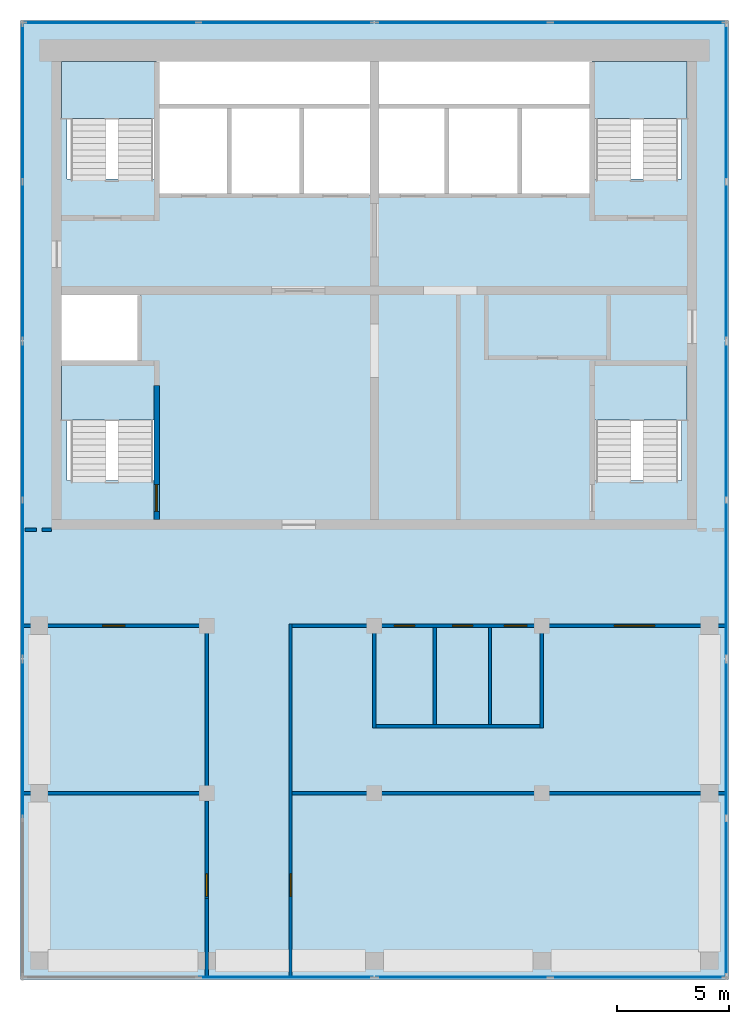
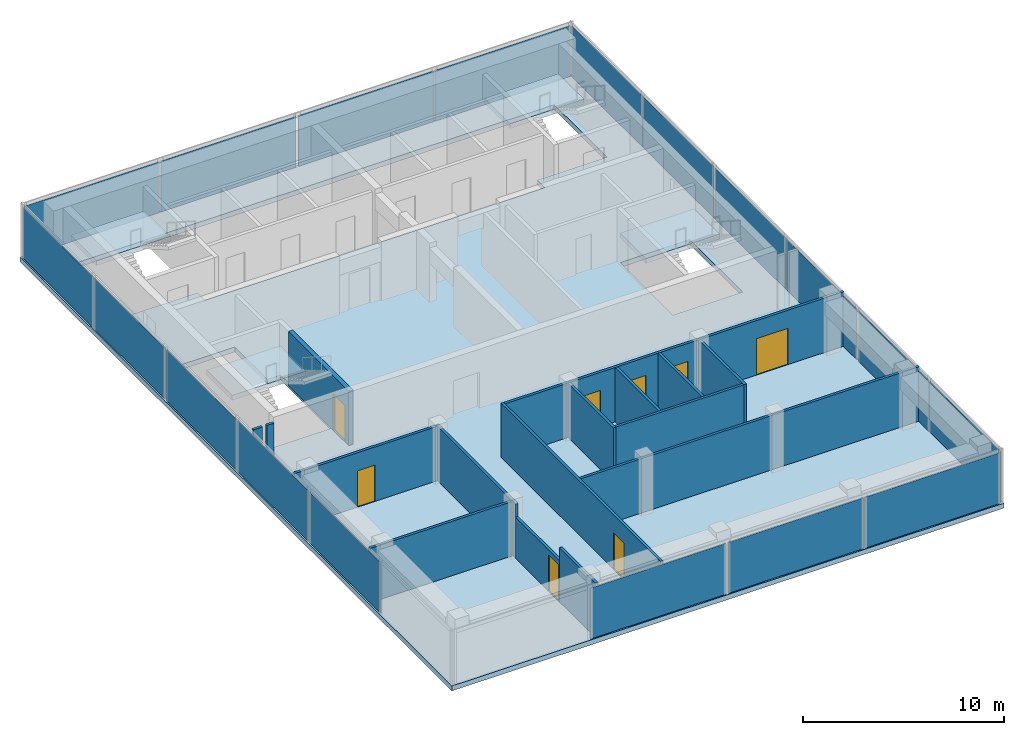
# One storey, part 2 of 5: 18 plates, 16 walls, 8 doors, 5 slabs, 8 openings, 14 elements without a shape of their own.
"""IFC4 building model written with IfcOpenShell, lengths in metres."""

from ifc_helpers import new_model, si_unit, direction, frame, frame_2d, origin, origin_2d, place, context, subcontext, project, spatial, polyline, rectangle, outline, extrude, material, layer, layer_set, type_object, element, fill, aggregate, save


model = new_model("IFC4")

# Units and contexts
model_context = context("Model", 3, precision=1e-05, world=origin(), true_north=direction((0.0, 1.0)))
body_context = subcontext(model_context, "Body", "Model", "MODEL_VIEW")
ifc_project = project(units=[si_unit("LENGTHUNIT", "METRE"), si_unit("AREAUNIT", "SQUARE_METRE"), si_unit("VOLUMEUNIT", "CUBIC_METRE"), si_unit("PLANEANGLEUNIT", "RADIAN"), si_unit("MASSUNIT", "GRAM", prefix="KILO")], contexts=[model_context])

# Site, building, storey
site_placement = place(None, origin())
site = spatial("IfcSite", under=ifc_project, at=site_placement, CompositionType="ELEMENT")
building_placement = place(site_placement, origin())
building = spatial("IfcBuilding", under=site, at=building_placement, Name="Pilkhan Gate Tower", CompositionType="ELEMENT")
storey_placement = place(building_placement, frame((0.0, 0.0, 280.10009765625)))
storey = spatial("IfcBuildingStorey", under=building, at=storey_placement, Name="L73", CompositionType="ELEMENT", Elevation=280.10009765625)

# Slab
ifc_material_1 = material(Name="Concrete C40/50", Category="concrete")
ifc_layer_1 = layer(ifc_material_1, 0.300048828125)
ifc_layer_set_1 = layer_set([ifc_layer_1], Name="Flat plate slab FP300")
slab_type_1 = type_object("IfcSlabType", Name="Flat plate slab FP300", PredefinedType="FLOOR", material=ifc_layer_set_1)
slab_1_placement = place(storey_placement, frame((0.0, 0.0, -0.300048828125)))
element("IfcSlab", 1, at=slab_1_placement, inside=storey, type_object=slab_type_1, Name="Floor slab L73", PredefinedType="FLOOR", context=body_context, shape_type="SweptSolid", body=[
    extrude(outline(polyline([(59.14990234375, 94.60009765625), (90.85009765625, 94.60009765625), (90.85009765625, 51.64990234375), (59.14990234375, 51.64990234375), (59.14990234375, 94.60009765625)]), holes=[polyline([(78.25, 86.75), (81.5, 86.75), (84.75, 86.75), (84.75, 87.5), (88.75, 87.5), (88.75, 92.75), (84.75, 92.75), (75.0, 92.75), (65.25, 92.75), (61.25, 92.75), (61.25, 87.5), (65.25, 87.5), (65.25, 86.75), (68.5, 86.75), (71.75, 86.75), (75.0, 86.75), (78.25, 86.75)]), polyline([(84.75, 79.25), (84.75, 74.0), (88.75, 74.0), (88.75, 79.25), (84.75, 79.25)]), polyline([(65.25, 79.25), (64.5, 79.25), (64.5, 82.5), (61.25, 82.5), (61.0, 82.5), (61.0, 79.25), (61.25, 79.25), (61.25, 74.0), (65.25, 74.0), (65.25, 79.25)])]), origin(), (0.0, 0.0, 1.0), 0.300048828125),
])

# Curtain wall, plates
ifc_material_2 = material(Name="Pale anodised aluminium, clear low-iron double glazing", Category="aluminium")
curtain_wall_type = type_object("IfcCurtainWallType", Name="Crown unitised curtain wall CW-C", PredefinedType="USERDEFINED", material=ifc_material_2)
curtain_wall_1_placement = place(storey_placement, origin())
curtain_wall_1 = element("IfcCurtainWall", 2, at=curtain_wall_1_placement, inside=storey, type_object=curtain_wall_type, Name="Crown unitised curtain wall CW-C L73 E", ObjectType="UNITISED CURTAIN WALL", PredefinedType="USERDEFINED")
ifc_material_3 = material(Name="Clear low-iron double glazing", Category="glass")
ifc_layer_2 = layer(ifc_material_3, 0.0439453125)
ifc_layer_set_2 = layer_set([ifc_layer_2], Name="Glass panel CW-C 44")
plate_type = type_object("IfcPlateType", Name="Glass panel CW-C 44", PredefinedType="CURTAIN_PANEL", material=ifc_layer_set_2)
plate_1_placement = place(storey_placement, frame((90.75, 55.331298828125, -0.000244140625), z_axis=(0.0, 0.0, 1.0), x_axis=(0.0, 1.0, 0.0)))
plate_1 = element("IfcPlate", 3, at=plate_1_placement, type_object=plate_type, Name="CW-C panel 1", PredefinedType="CURTAIN_PANEL", context=body_context, shape_type="SweptSolid", body=[
    extrude(rectangle(XDim=7.012451171875, YDim=0.0439453125, at=origin_2d()), origin(), (0.0, 0.0, 1.0), 3.080078125),
])
plate_2_placement = place(storey_placement, frame((90.75, 62.418701171875, -0.000244140625), z_axis=(0.0, 0.0, 1.0), x_axis=(0.0, 1.0, 0.0)))
plate_2 = element("IfcPlate", 4, at=plate_2_placement, type_object=plate_type, Name="CW-C panel 2", PredefinedType="CURTAIN_PANEL", context=body_context, shape_type="SweptSolid", body=[
    extrude(rectangle(XDim=7.012451171875, YDim=0.0439453125, at=origin_2d()), origin(), (0.0, 0.0, 1.0), 3.080078125),
])
aggregate(curtain_wall_1, [plate_1, plate_2])

curtain_wall_2_placement = place(storey_placement, origin())
curtain_wall_2 = element("IfcCurtainWall", 5, at=curtain_wall_2_placement, inside=storey, type_object=curtain_wall_type, Name="Crown unitised curtain wall CW-C L73 E", ObjectType="UNITISED CURTAIN WALL", PredefinedType="USERDEFINED")
plate_3_placement = place(storey_placement, frame((90.75, 69.581298828125, -0.000244140625), z_axis=(0.0, 0.0, 1.0), x_axis=(0.0, 1.0, 0.0)))
plate_3 = element("IfcPlate", 6, at=plate_3_placement, type_object=plate_type, Name="CW-C panel 1", PredefinedType="CURTAIN_PANEL", context=body_context, shape_type="SweptSolid", body=[
    extrude(rectangle(XDim=7.012451171875, YDim=0.0439453125, at=origin_2d()), origin(), (0.0, 0.0, 1.0), 3.080078125),
])
plate_4_placement = place(storey_placement, frame((90.75, 76.668701171875, -0.000244140625), z_axis=(0.0, 0.0, 1.0), x_axis=(0.0, 1.0, 0.0)))
plate_4 = element("IfcPlate", 7, at=plate_4_placement, type_object=plate_type, Name="CW-C panel 2", PredefinedType="CURTAIN_PANEL", context=body_context, shape_type="SweptSolid", body=[
    extrude(rectangle(XDim=7.012451171875, YDim=0.0439453125, at=origin_2d()), origin(), (0.0, 0.0, 1.0), 3.080078125),
])
aggregate(curtain_wall_2, [plate_3, plate_4])

curtain_wall_3_placement = place(storey_placement, origin())
curtain_wall_3 = element("IfcCurtainWall", 8, at=curtain_wall_3_placement, inside=storey, type_object=curtain_wall_type, Name="Crown unitised curtain wall CW-C L73 E", ObjectType="UNITISED CURTAIN WALL", PredefinedType="USERDEFINED")
plate_5_placement = place(storey_placement, frame((90.75, 83.831298828125, -0.000244140625), z_axis=(0.0, 0.0, 1.0), x_axis=(0.0, 1.0, 0.0)))
plate_5 = element("IfcPlate", 9, at=plate_5_placement, type_object=plate_type, Name="CW-C panel 1", PredefinedType="CURTAIN_PANEL", context=body_context, shape_type="SweptSolid", body=[
    extrude(rectangle(XDim=7.012451171875, YDim=0.0439453125, at=origin_2d()), origin(), (0.0, 0.0, 1.0), 3.080078125),
])
plate_6_placement = place(storey_placement, frame((90.75, 90.918701171875, -0.000244140625), z_axis=(0.0, 0.0, 1.0), x_axis=(0.0, 1.0, 0.0)))
plate_6 = element("IfcPlate", 10, at=plate_6_placement, type_object=plate_type, Name="CW-C panel 2", PredefinedType="CURTAIN_PANEL", context=body_context, shape_type="SweptSolid", body=[
    extrude(rectangle(XDim=7.012451171875, YDim=0.0439453125, at=origin_2d()), origin(), (0.0, 0.0, 1.0), 3.080078125),
])
aggregate(curtain_wall_3, [plate_5, plate_6])

curtain_wall_4_placement = place(storey_placement, origin())
curtain_wall_4 = element("IfcCurtainWall", 11, at=curtain_wall_4_placement, inside=storey, type_object=curtain_wall_type, Name="Crown unitised curtain wall CW-C L73 N", ObjectType="UNITISED CURTAIN WALL", PredefinedType="USERDEFINED")
plate_7_placement = place(storey_placement, frame((63.206298828125, 94.5, -0.000244140625), z_axis=(0.0, 0.0, 1.0), x_axis=(1.0, 0.0, 0.0)))
plate_7 = element("IfcPlate", 12, at=plate_7_placement, type_object=plate_type, Name="CW-C panel 1", PredefinedType="CURTAIN_PANEL", context=body_context, shape_type="SweptSolid", body=[
    extrude(rectangle(XDim=7.762451171875, YDim=0.0439453125, at=origin_2d()), origin(), (0.0, 0.0, 1.0), 3.080078125),
])
plate_8_placement = place(storey_placement, frame((71.043701171875, 94.5, -0.000244140625), z_axis=(0.0, 0.0, 1.0), x_axis=(1.0, 0.0, 0.0)))
plate_8 = element("IfcPlate", 13, at=plate_8_placement, type_object=plate_type, Name="CW-C panel 2", PredefinedType="CURTAIN_PANEL", context=body_context, shape_type="SweptSolid", body=[
    extrude(rectangle(XDim=7.762451171875, YDim=0.0439453125, at=origin_2d()), origin(), (0.0, 0.0, 1.0), 3.080078125),
])
aggregate(curtain_wall_4, [plate_7, plate_8])

curtain_wall_5_placement = place(storey_placement, origin())
curtain_wall_5 = element("IfcCurtainWall", 14, at=curtain_wall_5_placement, inside=storey, type_object=curtain_wall_type, Name="Crown unitised curtain wall CW-C L73 N", ObjectType="UNITISED CURTAIN WALL", PredefinedType="USERDEFINED")
plate_9_placement = place(storey_placement, frame((78.956298828125, 94.5, -0.000244140625), z_axis=(0.0, 0.0, 1.0), x_axis=(1.0, 0.0, 0.0)))
plate_9 = element("IfcPlate", 15, at=plate_9_placement, type_object=plate_type, Name="CW-C panel 1", PredefinedType="CURTAIN_PANEL", context=body_context, shape_type="SweptSolid", body=[
    extrude(rectangle(XDim=7.762451171875, YDim=0.0439453125, at=origin_2d()), origin(), (0.0, 0.0, 1.0), 3.080078125),
])
plate_10_placement = place(storey_placement, frame((86.793701171875, 94.5, -0.000244140625), z_axis=(0.0, 0.0, 1.0), x_axis=(1.0, 0.0, 0.0)))
plate_10 = element("IfcPlate", 16, at=plate_10_placement, type_object=plate_type, Name="CW-C panel 2", PredefinedType="CURTAIN_PANEL", context=body_context, shape_type="SweptSolid", body=[
    extrude(rectangle(XDim=7.762451171875, YDim=0.0439453125, at=origin_2d()), origin(), (0.0, 0.0, 1.0), 3.080078125),
])
aggregate(curtain_wall_5, [plate_9, plate_10])

# Curtain wall, plate
curtain_wall_6_placement = place(storey_placement, origin())
curtain_wall_6 = element("IfcCurtainWall", 17, at=curtain_wall_6_placement, inside=storey, type_object=curtain_wall_type, Name="Crown unitised curtain wall CW-C L73 W", ObjectType="UNITISED CURTAIN WALL", PredefinedType="USERDEFINED")
plate_11_placement = place(storey_placement, frame((59.25, 62.418701171875, -0.000244140625), z_axis=(0.0, 0.0, 1.0), x_axis=(0.0, 1.0, 0.0)))
plate_11 = element("IfcPlate", 18, at=plate_11_placement, type_object=plate_type, Name="CW-C panel 2", PredefinedType="CURTAIN_PANEL", context=body_context, shape_type="SweptSolid", body=[
    extrude(rectangle(XDim=7.012451171875, YDim=0.0439453125, at=origin_2d()), origin(), (0.0, 0.0, 1.0), 3.080078125),
])
aggregate(curtain_wall_6, [plate_11])

# Curtain wall, plates
curtain_wall_7_placement = place(storey_placement, origin())
curtain_wall_7 = element("IfcCurtainWall", 19, at=curtain_wall_7_placement, inside=storey, type_object=curtain_wall_type, Name="Crown unitised curtain wall CW-C L73 W", ObjectType="UNITISED CURTAIN WALL", PredefinedType="USERDEFINED")
plate_12_placement = place(storey_placement, frame((59.25, 69.581298828125, -0.000244140625), z_axis=(0.0, 0.0, 1.0), x_axis=(0.0, 1.0, 0.0)))
plate_12 = element("IfcPlate", 20, at=plate_12_placement, type_object=plate_type, Name="CW-C panel 1", PredefinedType="CURTAIN_PANEL", context=body_context, shape_type="SweptSolid", body=[
    extrude(rectangle(XDim=7.012451171875, YDim=0.0439453125, at=origin_2d()), origin(), (0.0, 0.0, 1.0), 3.080078125),
])
plate_13_placement = place(storey_placement, frame((59.25, 76.668701171875, -0.000244140625), z_axis=(0.0, 0.0, 1.0), x_axis=(0.0, 1.0, 0.0)))
plate_13 = element("IfcPlate", 21, at=plate_13_placement, type_object=plate_type, Name="CW-C panel 2", PredefinedType="CURTAIN_PANEL", context=body_context, shape_type="SweptSolid", body=[
    extrude(rectangle(XDim=7.012451171875, YDim=0.0439453125, at=origin_2d()), origin(), (0.0, 0.0, 1.0), 3.080078125),
])
aggregate(curtain_wall_7, [plate_12, plate_13])

curtain_wall_8_placement = place(storey_placement, origin())
curtain_wall_8 = element("IfcCurtainWall", 22, at=curtain_wall_8_placement, inside=storey, type_object=curtain_wall_type, Name="Crown unitised curtain wall CW-C L73 W", ObjectType="UNITISED CURTAIN WALL", PredefinedType="USERDEFINED")
plate_14_placement = place(storey_placement, frame((59.25, 83.831298828125, -0.000244140625), z_axis=(0.0, 0.0, 1.0), x_axis=(0.0, 1.0, 0.0)))
plate_14 = element("IfcPlate", 23, at=plate_14_placement, type_object=plate_type, Name="CW-C panel 1", PredefinedType="CURTAIN_PANEL", context=body_context, shape_type="SweptSolid", body=[
    extrude(rectangle(XDim=7.012451171875, YDim=0.0439453125, at=origin_2d()), origin(), (0.0, 0.0, 1.0), 3.080078125),
])
plate_15_placement = place(storey_placement, frame((59.25, 90.918701171875, -0.000244140625), z_axis=(0.0, 0.0, 1.0), x_axis=(0.0, 1.0, 0.0)))
plate_15 = element("IfcPlate", 24, at=plate_15_placement, type_object=plate_type, Name="CW-C panel 2", PredefinedType="CURTAIN_PANEL", context=body_context, shape_type="SweptSolid", body=[
    extrude(rectangle(XDim=7.012451171875, YDim=0.0439453125, at=origin_2d()), origin(), (0.0, 0.0, 1.0), 3.080078125),
])
aggregate(curtain_wall_8, [plate_14, plate_15])

# Curtain wall, plate
curtain_wall_9_placement = place(storey_placement, origin())
curtain_wall_9 = element("IfcCurtainWall", 25, at=curtain_wall_9_placement, inside=storey, type_object=curtain_wall_type, Name="Crown unitised curtain wall CW-C L73 S", ObjectType="UNITISED CURTAIN WALL", PredefinedType="USERDEFINED")
plate_16_placement = place(storey_placement, frame((71.043701171875, 51.75, -0.000244140625), z_axis=(0.0, 0.0, 1.0), x_axis=(1.0, 0.0, 0.0)))
plate_16 = element("IfcPlate", 26, at=plate_16_placement, type_object=plate_type, Name="CW-C panel 2", PredefinedType="CURTAIN_PANEL", context=body_context, shape_type="SweptSolid", body=[
    extrude(rectangle(XDim=7.762451171875, YDim=0.0439453125, at=origin_2d()), origin(), (0.0, 0.0, 1.0), 3.080078125),
])
aggregate(curtain_wall_9, [plate_16])

# Curtain wall, plates
curtain_wall_10_placement = place(storey_placement, origin())
curtain_wall_10 = element("IfcCurtainWall", 27, at=curtain_wall_10_placement, inside=storey, type_object=curtain_wall_type, Name="Crown unitised curtain wall CW-C L73 S", ObjectType="UNITISED CURTAIN WALL", PredefinedType="USERDEFINED")
plate_17_placement = place(storey_placement, frame((78.956298828125, 51.75, -0.000244140625), z_axis=(0.0, 0.0, 1.0), x_axis=(1.0, 0.0, 0.0)))
plate_17 = element("IfcPlate", 28, at=plate_17_placement, type_object=plate_type, Name="CW-C panel 1", PredefinedType="CURTAIN_PANEL", context=body_context, shape_type="SweptSolid", body=[
    extrude(rectangle(XDim=7.762451171875, YDim=0.0439453125, at=origin_2d()), origin(), (0.0, 0.0, 1.0), 3.080078125),
])
plate_18_placement = place(storey_placement, frame((86.793701171875, 51.75, -0.000244140625), z_axis=(0.0, 0.0, 1.0), x_axis=(1.0, 0.0, 0.0)))
plate_18 = element("IfcPlate", 29, at=plate_18_placement, type_object=plate_type, Name="CW-C panel 2", PredefinedType="CURTAIN_PANEL", context=body_context, shape_type="SweptSolid", body=[
    extrude(rectangle(XDim=7.762451171875, YDim=0.0439453125, at=origin_2d()), origin(), (0.0, 0.0, 1.0), 3.080078125),
])
aggregate(curtain_wall_10, [plate_17, plate_18])

# Stair, slab
ifc_material_4 = material(Name="Concrete C40/50 precast", Category="concrete")
stair_type_1 = type_object("IfcStairType", Name="Stair ST1 164x280", PredefinedType="HALF_TURN_STAIR", material=ifc_material_4)
stair_1_placement = place(storey_placement, origin())
stair_1 = element("IfcStair", 30, at=stair_1_placement, inside=storey, type_object=stair_type_1, Name="Stair ST1 L73", PredefinedType="HALF_TURN_STAIR")
ifc_layer_3 = layer(ifc_material_1, 0.199951171875)
ifc_layer_set_3 = layer_set([ifc_layer_3], Name="Stair landing SL200")
slab_type_2 = type_object("IfcSlabType", Name="Stair landing SL200", PredefinedType="LANDING", material=ifc_layer_set_3)
slab_2_placement = place(storey_placement, frame((0.0, 0.0, 1.5)))
slab_2 = element("IfcSlab", 31, at=slab_2_placement, type_object=slab_type_2, Name="ST1 landing 1", PredefinedType="LANDING", context=body_context, shape_type="SweptSolid", body=[
    extrude(outline(polyline([(89.0, 76.699951171875), (89.0, 79.25), (84.75, 79.25), (84.75, 76.699951171875), (89.0, 76.699951171875)])), origin(), (0.0, 0.0, 1.0), 0.2998046875),
])
aggregate(stair_1, [slab_2])

stair_type_2 = type_object("IfcStairType", Name="Stair ST2 164x280", PredefinedType="HALF_TURN_STAIR", material=ifc_material_4)
stair_2_placement = place(storey_placement, origin())
stair_2 = element("IfcStair", 32, at=stair_2_placement, inside=storey, type_object=stair_type_2, Name="Stair ST2 L73", PredefinedType="HALF_TURN_STAIR")
slab_3_placement = place(storey_placement, frame((0.0, 0.0, 1.5)))
slab_3 = element("IfcSlab", 33, at=slab_3_placement, type_object=slab_type_2, Name="ST2 landing 1", PredefinedType="LANDING", context=body_context, shape_type="SweptSolid", body=[
    extrude(outline(polyline([(65.25, 76.699951171875), (65.25, 79.25), (61.0, 79.25), (61.0, 76.699951171875), (65.25, 76.699951171875)])), origin(), (0.0, 0.0, 1.0), 0.2998046875),
])
aggregate(stair_2, [slab_3])

stair_type_3 = type_object("IfcStairType", Name="Stair ST3 164x280", PredefinedType="HALF_TURN_STAIR", material=ifc_material_4)
stair_3_placement = place(storey_placement, origin())
stair_3 = element("IfcStair", 34, at=stair_3_placement, inside=storey, type_object=stair_type_3, Name="Stair ST3 L73", PredefinedType="HALF_TURN_STAIR")
slab_4_placement = place(storey_placement, frame((0.0, 0.0, 1.5)))
slab_4 = element("IfcSlab", 35, at=slab_4_placement, type_object=slab_type_2, Name="ST3 landing 1", PredefinedType="LANDING", context=body_context, shape_type="SweptSolid", body=[
    extrude(outline(polyline([(65.25, 90.199951171875), (65.25, 92.75), (61.0, 92.75), (61.0, 90.199951171875), (65.25, 90.199951171875)])), origin(), (0.0, 0.0, 1.0), 0.2998046875),
])
aggregate(stair_3, [slab_4])

stair_type_4 = type_object("IfcStairType", Name="Stair ST4 164x280", PredefinedType="HALF_TURN_STAIR", material=ifc_material_4)
stair_4_placement = place(storey_placement, origin())
stair_4 = element("IfcStair", 36, at=stair_4_placement, inside=storey, type_object=stair_type_4, Name="Stair ST4 L73", PredefinedType="HALF_TURN_STAIR")
slab_5_placement = place(storey_placement, frame((0.0, 0.0, 1.5)))
slab_5 = element("IfcSlab", 37, at=slab_5_placement, type_object=slab_type_2, Name="ST4 landing 1", PredefinedType="LANDING", context=body_context, shape_type="SweptSolid", body=[
    extrude(outline(polyline([(89.0, 90.199951171875), (89.0, 92.75), (84.75, 92.75), (84.75, 90.199951171875), (89.0, 90.199951171875)])), origin(), (0.0, 0.0, 1.0), 0.2998046875),
])
aggregate(stair_4, [slab_5])

# Walls
ifc_material_5 = material(Name="Blockwork partition, plastered both sides", Category="masonry")
ifc_layer_4 = layer(ifc_material_5, 0.14990234375)
ifc_layer_set_4 = layer_set([ifc_layer_4], Name="Partition PW150")
wall_type_1 = type_object("IfcWallType", Name="Partition PW150", PredefinedType="PARTITIONING", material=ifc_layer_set_4)
wall_1_placement = place(storey_placement, frame((59.235107421875, 60.0, 0.0), z_axis=(0.0, 0.0, 1.0), x_axis=(1.0, 0.0, 0.0)))
element("IfcWall", 38, at=wall_1_placement, inside=storey, type_object=wall_type_1, Name="Partition L73", PredefinedType="PARTITIONING", context=body_context, shape_type="SweptSolid", body=[
    extrude(rectangle(XDim=8.18994140625, YDim=0.14990234375, at=frame_2d((4.094970703125, 0.0))), origin(), (0.0, 0.0, 1.0), 3.2998046875),
])
wall_2_placement = place(storey_placement, frame((71.324951171875, 60.0, 0.0), z_axis=(0.0, 0.0, 1.0), x_axis=(1.0, 0.0, 0.0)))
element("IfcWall", 39, at=wall_2_placement, inside=storey, type_object=wall_type_1, Name="Partition L73", PredefinedType="PARTITIONING", context=body_context, shape_type="SweptSolid", body=[
    extrude(rectangle(XDim=19.43994140625, YDim=0.14990234375, at=frame_2d((9.719970703125, 0.0))), origin(), (0.0, 0.0, 1.0), 3.2998046875),
])
wall_3_placement = place(storey_placement, frame((75.074951171875, 63.0, 0.0), z_axis=(0.0, 0.0, 1.0), x_axis=(1.0, 0.0, 0.0)))
element("IfcWall", 40, at=wall_3_placement, inside=storey, type_object=wall_type_1, Name="Partition L73", PredefinedType="PARTITIONING", context=body_context, shape_type="SweptSolid", body=[
    extrude(rectangle(XDim=7.35009765625, YDim=0.14990234375, at=frame_2d((3.675048828125, 0.0))), origin(), (0.0, 0.0, 1.0), 3.2998046875),
])

# Wall, opening, door
wall_4_placement = place(storey_placement, frame((59.235107421875, 67.5, 0.0), z_axis=(0.0, 0.0, 1.0), x_axis=(1.0, 0.0, 0.0)))
wall_4 = element("IfcWall", 41, at=wall_4_placement, inside=storey, type_object=wall_type_1, Name="Partition L73", PredefinedType="PARTITIONING", context=body_context, shape_type="SweptSolid", body=[
    extrude(rectangle(XDim=8.18994140625, YDim=0.14990234375, at=frame_2d((4.094970703125, 0.0))), origin(), (0.0, 0.0, 1.0), 3.2998046875),
])
opening_1_placement = place(wall_4_placement, frame((3.60009765625, 0.0, 0.0)))
opening_1 = element("IfcOpeningElement", 42, at=opening_1_placement, cuts=wall_4, Name="Opening L73-13", PredefinedType="OPENING", context=body_context, shape_type="SweptSolid", body=[
    extrude(rectangle(XDim=1.0, YDim=2.199951171875, at=frame_2d((0.5, 1.10009765625))), frame((0.0, 0.0849609375, 0.0), z_axis=(0.0, -1.0, 0.0), x_axis=(1.0, 0.0, 0.0)), (0.0, 0.0, 1.0), 0.169921875),
])
ifc_material_6 = material(Name="Timber flush door, 30 minute fire resisting", Category="wood")
door_type_1 = type_object("IfcDoorType", Name="Room door D03 1000x2200", OperationType="SINGLE_SWING_LEFT", PredefinedType="DOOR", material=ifc_material_6)
door_1_placement = place(opening_1_placement, origin())
door_1 = element("IfcDoor", 43, at=door_1_placement, inside=storey, type_object=door_type_1, Name="Room door", OperationType="SINGLE_SWING_LEFT", OverallHeight=2.199951171875, OverallWidth=1.0, PredefinedType="DOOR", context=body_context, shape_type="SweptSolid", body=[
    extrude(rectangle(XDim=1.0, YDim=2.199951171875, at=frame_2d((0.5, 1.10009765625))), frame((0.0, 0.02490234375, 0.0), z_axis=(0.0, -1.0, 0.0), x_axis=(1.0, 0.0, 0.0)), (0.0, 0.0, 1.0), 0.050048828125),
])
fill(opening_1, door_1)

# Wall, openings, doors
wall_5_placement = place(storey_placement, frame((71.324951171875, 67.5, 0.0), z_axis=(0.0, 0.0, 1.0), x_axis=(1.0, 0.0, 0.0)))
wall_5 = element("IfcWall", 44, at=wall_5_placement, inside=storey, type_object=wall_type_1, Name="Partition L73", PredefinedType="PARTITIONING", context=body_context, shape_type="SweptSolid", body=[
    extrude(rectangle(XDim=19.43994140625, YDim=0.14990234375, at=frame_2d((9.719970703125, 0.0))), origin(), (0.0, 0.0, 1.0), 3.2998046875),
])
opening_2_placement = place(wall_5_placement, frame((4.574951171875, 0.0, 0.0)))
opening_2 = element("IfcOpeningElement", 45, at=opening_2_placement, cuts=wall_5, Name="Opening L73-10", PredefinedType="OPENING", context=body_context, shape_type="SweptSolid", body=[
    extrude(rectangle(XDim=0.89990234375, YDim=2.199951171875, at=frame_2d((0.449951171875, 1.10009765625))), frame((0.0, 0.0849609375, 0.0), z_axis=(0.0, -1.0, 0.0), x_axis=(1.0, 0.0, 0.0)), (0.0, 0.0, 1.0), 0.169921875),
])
opening_3_placement = place(wall_5_placement, frame((7.175048828125, 0.0, 0.0)))
opening_3 = element("IfcOpeningElement", 46, at=opening_3_placement, cuts=wall_5, Name="Opening L73-11", PredefinedType="OPENING", context=body_context, shape_type="SweptSolid", body=[
    extrude(rectangle(XDim=0.89990234375, YDim=2.199951171875, at=frame_2d((0.449951171875, 1.10009765625))), frame((0.0, 0.0849609375, 0.0), z_axis=(0.0, -1.0, 0.0), x_axis=(1.0, 0.0, 0.0)), (0.0, 0.0, 1.0), 0.169921875),
])
opening_4_placement = place(wall_5_placement, frame((9.5, 0.0, 0.0)))
opening_4 = element("IfcOpeningElement", 47, at=opening_4_placement, cuts=wall_5, Name="Opening L73-12", PredefinedType="OPENING", context=body_context, shape_type="SweptSolid", body=[
    extrude(rectangle(XDim=1.0, YDim=2.199951171875, at=frame_2d((0.5, 1.10009765625))), frame((0.0, 0.0849609375, 0.0), z_axis=(0.0, -1.0, 0.0), x_axis=(1.0, 0.0, 0.0)), (0.0, 0.0, 1.0), 0.169921875),
])
opening_5_placement = place(wall_5_placement, frame((14.425048828125, 0.0, 0.0)))
opening_5 = element("IfcOpeningElement", 48, at=opening_5_placement, cuts=wall_5, Name="Opening L73-15", PredefinedType="OPENING", context=body_context, shape_type="SweptSolid", body=[
    extrude(rectangle(XDim=1.800048828125, YDim=2.199951171875, at=frame_2d((0.89990234375, 1.10009765625))), frame((0.0, 0.0849609375, 0.0), z_axis=(0.0, -1.0, 0.0), x_axis=(1.0, 0.0, 0.0)), (0.0, 0.0, 1.0), 0.169921875),
])
ifc_material_7 = material(Name="Timber flush door, outward opening, 30 minute fire resisting", Category="wood")
door_type_2 = type_object("IfcDoorType", Name="Accessible toilet door D07 1000x2200", OperationType="SINGLE_SWING_LEFT", PredefinedType="DOOR", material=ifc_material_7)
door_2_placement = place(opening_4_placement, origin())
door_2 = element("IfcDoor", 49, at=door_2_placement, inside=storey, type_object=door_type_2, Name="Accessible toilet door", OperationType="SINGLE_SWING_LEFT", OverallHeight=2.199951171875, OverallWidth=1.0, PredefinedType="DOOR", context=body_context, shape_type="SweptSolid", body=[
    extrude(rectangle(XDim=1.0, YDim=2.199951171875, at=frame_2d((0.5, 1.10009765625))), frame((0.0, 0.02490234375, 0.0), z_axis=(0.0, -1.0, 0.0), x_axis=(1.0, 0.0, 0.0)), (0.0, 0.0, 1.0), 0.050048828125),
])
fill(opening_4, door_2)
ifc_material_8 = material(Name="Timber glazed double door, 30 minute fire resisting", Category="wood")
door_type_3 = type_object("IfcDoorType", Name="Double door D04 1800x2200", OperationType="DOUBLE_DOOR_SINGLE_SWING", PredefinedType="DOOR", material=ifc_material_8)
door_3_placement = place(opening_5_placement, origin())
door_3 = element("IfcDoor", 50, at=door_3_placement, inside=storey, type_object=door_type_3, Name="Double door", OperationType="DOUBLE_DOOR_SINGLE_SWING", OverallHeight=2.199951171875, OverallWidth=1.800048828125, PredefinedType="DOOR", context=body_context, shape_type="SweptSolid", body=[
    extrude(rectangle(XDim=1.800048828125, YDim=2.199951171875, at=frame_2d((0.89990234375, 1.10009765625))), frame((0.0, 0.02490234375, 0.0), z_axis=(0.0, -1.0, 0.0), x_axis=(1.0, 0.0, 0.0)), (0.0, 0.0, 1.0), 0.050048828125),
])
fill(opening_5, door_3)
door_type_4 = type_object("IfcDoorType", Name="Toilet door D06 900x2200", OperationType="SINGLE_SWING_LEFT", PredefinedType="DOOR", material=ifc_material_6)
door_4_placement = place(opening_2_placement, origin())
door_4 = element("IfcDoor", 51, at=door_4_placement, inside=storey, type_object=door_type_4, Name="Toilet door", OperationType="SINGLE_SWING_LEFT", OverallHeight=2.199951171875, OverallWidth=0.89990234375, PredefinedType="DOOR", context=body_context, shape_type="SweptSolid", body=[
    extrude(rectangle(XDim=0.89990234375, YDim=2.199951171875, at=frame_2d((0.449951171875, 1.10009765625))), frame((0.0, 0.02490234375, 0.0), z_axis=(0.0, -1.0, 0.0), x_axis=(1.0, 0.0, 0.0)), (0.0, 0.0, 1.0), 0.050048828125),
])
fill(opening_2, door_4)
door_5_placement = place(opening_3_placement, origin())
door_5 = element("IfcDoor", 52, at=door_5_placement, inside=storey, type_object=door_type_4, Name="Toilet door", OperationType="SINGLE_SWING_LEFT", OverallHeight=2.199951171875, OverallWidth=0.89990234375, PredefinedType="DOOR", context=body_context, shape_type="SweptSolid", body=[
    extrude(rectangle(XDim=0.89990234375, YDim=2.199951171875, at=frame_2d((0.449951171875, 1.10009765625))), frame((0.0, 0.02490234375, 0.0), z_axis=(0.0, -1.0, 0.0), x_axis=(1.0, 0.0, 0.0)), (0.0, 0.0, 1.0), 0.050048828125),
])
fill(opening_3, door_5)

# Walls
wall_6_placement = place(storey_placement, frame((59.35498046875, 71.800048828125, 0.0), z_axis=(0.0, 0.0, 1.0), x_axis=(1.0, 0.0, 0.0)))
element("IfcWall", 53, at=wall_6_placement, inside=storey, type_object=wall_type_1, Name="Partition L73", PredefinedType="PARTITIONING", context=body_context, shape_type="SweptSolid", body=[
    extrude(rectangle(XDim=0.52490234375, YDim=0.14990234375, at=frame_2d((0.262451171875, 0.0))), origin(), (0.0, 0.0, 1.0), 3.2998046875),
])
wall_7_placement = place(storey_placement, frame((60.1201171875, 71.800048828125, 0.0), z_axis=(0.0, 0.0, 1.0), x_axis=(1.0, 0.0, 0.0)))
element("IfcWall", 54, at=wall_7_placement, inside=storey, type_object=wall_type_1, Name="Partition L73", PredefinedType="PARTITIONING", context=body_context, shape_type="SweptSolid", body=[
    extrude(rectangle(XDim=0.419921875, YDim=0.14990234375, at=frame_2d((0.2099609375, 0.0))), origin(), (0.0, 0.0, 1.0), 3.2998046875),
])
wall_8_placement = place(storey_placement, frame((67.5, 51.735107421875, 0.0), z_axis=(0.0, 0.0, 1.0), x_axis=(0.0, 1.0, 0.0)))
element("IfcWall", 55, at=wall_8_placement, inside=storey, type_object=wall_type_1, Name="Partition L73", PredefinedType="PARTITIONING", context=body_context, shape_type="SweptSolid", body=[
    extrude(rectangle(XDim=3.5498046875, YDim=0.14990234375, at=frame_2d((1.77490234375, 0.0))), origin(), (0.0, 0.0, 1.0), 3.2998046875),
])

# Wall, opening, door
wall_9_placement = place(storey_placement, frame((67.5, 55.284912109375, 0.0), z_axis=(0.0, 0.0, 1.0), x_axis=(0.0, 1.0, 0.0)))
wall_9 = element("IfcWall", 56, at=wall_9_placement, inside=storey, type_object=wall_type_1, Name="Partition L73", PredefinedType="PARTITIONING", context=body_context, shape_type="SweptSolid", body=[
    extrude(rectangle(XDim=4.364990234375, YDim=0.14990234375, at=frame_2d((2.1826171875, 0.0))), origin(), (0.0, 0.0, 1.0), 2.5),
])
opening_6_placement = place(wall_9_placement, frame((0.10009765625, 0.0, 0.0)))
opening_6 = element("IfcOpeningElement", 57, at=opening_6_placement, cuts=wall_9, Name="Opening L73-14", PredefinedType="OPENING", context=body_context, shape_type="SweptSolid", body=[
    extrude(rectangle(XDim=1.0, YDim=2.199951171875, at=frame_2d((0.5, 1.10009765625))), frame((0.0, 0.0849609375, 0.0), z_axis=(0.0, -1.0, 0.0), x_axis=(1.0, 0.0, 0.0)), (0.0, 0.0, 1.0), 0.169921875),
])
door_6_placement = place(opening_6_placement, origin())
door_6 = element("IfcDoor", 58, at=door_6_placement, inside=storey, type_object=door_type_1, Name="Room door", OperationType="SINGLE_SWING_LEFT", OverallHeight=2.199951171875, OverallWidth=1.0, PredefinedType="DOOR", context=body_context, shape_type="SweptSolid", body=[
    extrude(rectangle(XDim=1.0, YDim=2.199951171875, at=frame_2d((0.5, 1.10009765625))), frame((0.0, 0.02490234375, 0.0), z_axis=(0.0, -1.0, 0.0), x_axis=(1.0, 0.0, 0.0)), (0.0, 0.0, 1.0), 0.050048828125),
])
fill(opening_6, door_6)

# Wall
wall_10_placement = place(storey_placement, frame((67.5, 59.64990234375, 0.0), z_axis=(0.0, 0.0, 1.0), x_axis=(0.0, 1.0, 0.0)))
element("IfcWall", 59, at=wall_10_placement, inside=storey, type_object=wall_type_1, Name="Partition L73", PredefinedType="PARTITIONING", context=body_context, shape_type="SweptSolid", body=[
    extrude(rectangle(XDim=7.925048828125, YDim=0.14990234375, at=frame_2d((3.96240234375, 0.0))), origin(), (0.0, 0.0, 1.0), 3.2998046875),
])

# Wall, opening, door
wall_11_placement = place(storey_placement, frame((71.25, 51.735107421875, 0.0), z_axis=(0.0, 0.0, 1.0), x_axis=(0.0, 1.0, 0.0)))
wall_11 = element("IfcWall", 60, at=wall_11_placement, inside=storey, type_object=wall_type_1, Name="Partition L73", PredefinedType="PARTITIONING", context=body_context, shape_type="SweptSolid", body=[
    extrude(rectangle(XDim=15.83984375, YDim=0.14990234375, at=frame_2d((7.919921875, 0.0))), origin(), (0.0, 0.0, 1.0), 3.2998046875),
])
opening_7_placement = place(wall_11_placement, frame((3.64990234375, 0.0, 0.0)))
opening_7 = element("IfcOpeningElement", 61, at=opening_7_placement, cuts=wall_11, Name="Opening L73-16", PredefinedType="OPENING", context=body_context, shape_type="SweptSolid", body=[
    extrude(rectangle(XDim=1.0, YDim=2.199951171875, at=frame_2d((0.5, 1.10009765625))), frame((0.0, 0.0849609375, 0.0), z_axis=(0.0, -1.0, 0.0), x_axis=(1.0, 0.0, 0.0)), (0.0, 0.0, 1.0), 0.169921875),
])
door_7_placement = place(opening_7_placement, origin())
door_7 = element("IfcDoor", 62, at=door_7_placement, inside=storey, type_object=door_type_1, Name="Room door", OperationType="SINGLE_SWING_LEFT", OverallHeight=2.199951171875, OverallWidth=1.0, PredefinedType="DOOR", context=body_context, shape_type="SweptSolid", body=[
    extrude(rectangle(XDim=1.0, YDim=2.199951171875, at=frame_2d((0.5, 1.10009765625))), frame((0.0, 0.02490234375, 0.0), z_axis=(0.0, -1.0, 0.0), x_axis=(1.0, 0.0, 0.0)), (0.0, 0.0, 1.0), 0.050048828125),
])
fill(opening_7, door_7)

# Walls
wall_12_placement = place(storey_placement, frame((75.0, 62.925048828125, 0.0), z_axis=(0.0, 0.0, 1.0), x_axis=(0.0, 1.0, 0.0)))
element("IfcWall", 63, at=wall_12_placement, inside=storey, type_object=wall_type_1, Name="Partition L73", PredefinedType="PARTITIONING", context=body_context, shape_type="SweptSolid", body=[
    extrude(rectangle(XDim=4.5, YDim=0.14990234375, at=frame_2d((2.25, 0.0))), origin(), (0.0, 0.0, 1.0), 3.2998046875),
])
for number, where, z_axis, x_axis, name in (
    (64, (77.699951171875, 63.074951171875, 0.0), (0.0, 0.0, 1.0), (0.0, 1.0, 0.0), "Partition L73"),
    (65, (80.175048828125, 63.074951171875, 0.0), (0.0, 0.0, 1.0), (0.0, 1.0, 0.0), "Partition L73"),
):
    element("IfcWall", number, at=place(storey_placement, frame(where, z_axis=z_axis, x_axis=x_axis)), inside=storey, type_object=wall_type_1, Name=name, PredefinedType="PARTITIONING", context=body_context, shape_type="SweptSolid", body=[
        extrude(rectangle(XDim=4.35009765625, YDim=0.14990234375, at=frame_2d((2.175048828125, 0.0))), origin(), (0.0, 0.0, 1.0), 3.2998046875),
    ])
wall_13_placement = place(storey_placement, frame((82.5, 62.925048828125, 0.0), z_axis=(0.0, 0.0, 1.0), x_axis=(0.0, 1.0, 0.0)))
element("IfcWall", 66, at=wall_13_placement, inside=storey, type_object=wall_type_1, Name="Partition L73", PredefinedType="PARTITIONING", context=body_context, shape_type="SweptSolid", body=[
    extrude(rectangle(XDim=4.5, YDim=0.14990234375, at=frame_2d((2.25, 0.0))), origin(), (0.0, 0.0, 1.0), 3.2998046875),
])

# Wall, opening, door
ifc_material_9 = material(Name="Reinforced blockwork, 120 minute fire resisting", Category="masonry")
ifc_layer_5 = layer(ifc_material_9, 0.25)
ifc_layer_set_5 = layer_set([ifc_layer_5], Name="Stair enclosure wall SE250")
wall_type_2 = type_object("IfcWallType", Name="Stair enclosure wall SE250", PredefinedType="PARTITIONING", material=ifc_layer_set_5)
wall_14_placement = place(storey_placement, frame((65.25, 72.260009765625, 0.0), z_axis=(0.0, 0.0, 1.0), x_axis=(0.0, 1.0, 0.0)))
wall_14 = element("IfcWall", 67, at=wall_14_placement, inside=storey, type_object=wall_type_2, Name="Partition L73", PredefinedType="PARTITIONING", context=body_context, shape_type="SweptSolid", body=[
    extrude(rectangle(XDim=5.989990234375, YDim=0.25, at=frame_2d((2.9951171875, 0.0))), origin(), (0.0, 0.0, 1.0), 3.2998046875),
])
opening_8_placement = place(wall_14_placement, frame((0.35009765625, 0.0, 0.0)))
opening_8 = element("IfcOpeningElement", 68, at=opening_8_placement, cuts=wall_14, Name="Opening L73-04", PredefinedType="OPENING", context=body_context, shape_type="SweptSolid", body=[
    extrude(rectangle(XDim=1.199951171875, YDim=2.199951171875, at=frame_2d((0.60009765625, 1.10009765625))), frame((0.0, 0.135009765625, 0.0), z_axis=(0.0, -1.0, 0.0), x_axis=(1.0, 0.0, 0.0)), (0.0, 0.0, 1.0), 0.27001953125),
])
ifc_material_10 = material(Name="Steel door, 120 minute fire resisting, panic bar", Category="steel")
door_type_5 = type_object("IfcDoorType", Name="Stair door D11 1200x2200", OperationType="SINGLE_SWING_LEFT", PredefinedType="DOOR", material=ifc_material_10)
door_8_placement = place(opening_8_placement, origin())
door_8 = element("IfcDoor", 69, at=door_8_placement, inside=storey, type_object=door_type_5, Name="Stair ST2 lobby door", OperationType="SINGLE_SWING_LEFT", OverallHeight=2.199951171875, OverallWidth=1.199951171875, PredefinedType="DOOR", context=body_context, shape_type="SweptSolid", body=[
    extrude(rectangle(XDim=1.199951171875, YDim=2.199951171875, at=frame_2d((0.60009765625, 1.10009765625))), frame((0.0, 0.02490234375, 0.0), z_axis=(0.0, -1.0, 0.0), x_axis=(1.0, 0.0, 0.0)), (0.0, 0.0, 1.0), 0.050048828125),
])
fill(opening_8, door_8)

save(model, "model.ifc")
